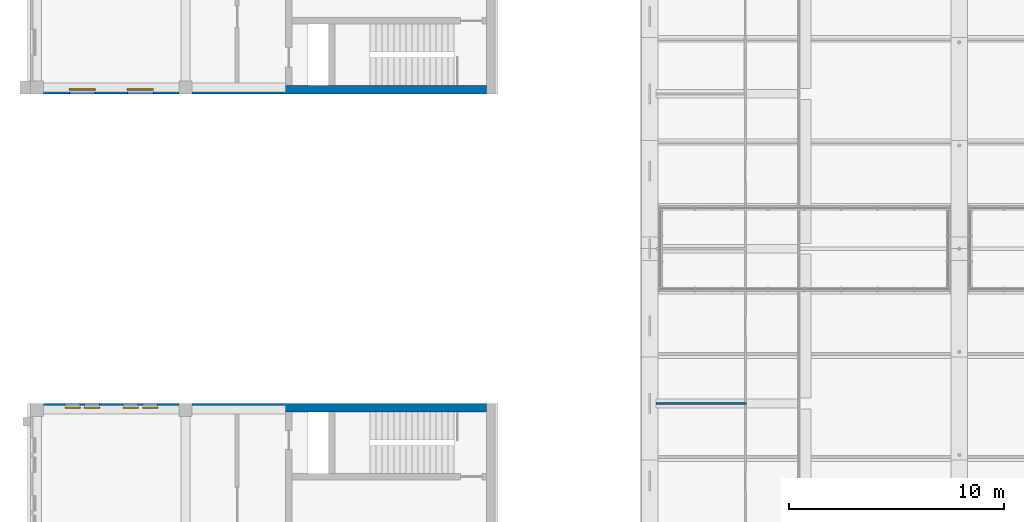
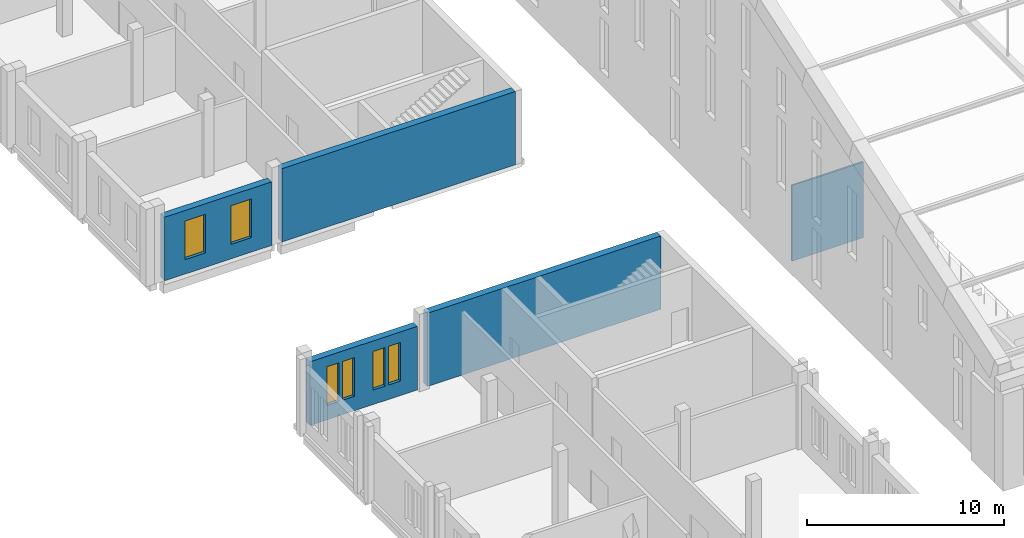
# One storey, part 127 of 149: 6 windows, 5 walls, 6 openings.
"""IFC4 building model written with IfcOpenShell, lengths in metres."""

import ifcopenshell
import ifcopenshell.guid

model = None  # the IFC model being written
_history = None  # IfcOwnerHistory: only IFC2X3 demands one
_inside = {}  # id of a spatial element -> (the spatial element, [elements in it])
_under = {}  # id of a project, library or spatial element -> (it, [spatial elements below it])
_declared = {}  # id of a project -> (the project, [libraries it declares])
_typed = {}  # id of a type object -> (the type object, [elements of that type])
_made_of = {}  # id of a material, layer set ... -> (it, [elements and type objects made of it])


def new_model(schema):
    """Start an empty IFC model of exactly this schema.

    Asked for "IFC4X3", IfcOpenShell would pick the latest addendum, in which some entities
    have other attributes; the version numbers below select the first issue.
    IFC2X3 requires an IfcOwnerHistory on every rooted entity: one is made here for all.
    """
    global model, _history
    if schema == "IFC4X3":
        model = ifcopenshell.file(schema_version=(4, 3, 0, 0))
    else:
        model = ifcopenshell.file(schema=schema)
    _inside.clear()
    _under.clear()
    _declared.clear()
    _typed.clear()
    _made_of.clear()
    _history = None
    if model.schema == "IFC2X3":
        org = make("IfcOrganization", Name="unknown")
        user = make(
            "IfcPersonAndOrganization",
            ThePerson=make("IfcPerson", FamilyName="unknown"),
            TheOrganization=org,
        )
        app = make(
            "IfcApplication",
            ApplicationDeveloper=org,
            Version="unknown",
            ApplicationFullName="unknown",
            ApplicationIdentifier="unknown",
        )
        _history = make(
            "IfcOwnerHistory",
            OwningUser=user,
            OwningApplication=app,
            ChangeAction="ADDED",
            CreationDate=0,
        )
    return model


def make(cls, **values):
    """One entity of the class cls with the attributes given. An attribute that is None is left unset."""
    return model.create_entity(
        cls, **{name: value for name, value in values.items() if value is not None}
    )


def rooted(cls, **values):
    """An entity with a GlobalId (a new one), such as an element, a storey or a relation."""
    return make(cls, GlobalId=ifcopenshell.guid.new(), OwnerHistory=_history, **values)


def si_unit(unit_type, name, prefix=None):
    """IfcSIUnit, for example si_unit("LENGTHUNIT", "METRE", prefix="MILLI")."""
    return make("IfcSIUnit", UnitType=unit_type, Prefix=prefix, Name=name)


def assignment(units):
    """IfcUnitAssignment: the units of a project."""
    return None if units is None else make("IfcUnitAssignment", Units=units)


def point(xyz):
    """IfcCartesianPoint."""
    return None if xyz is None else make("IfcCartesianPoint", Coordinates=xyz)


def direction(xyz):
    """IfcDirection."""
    return None if xyz is None else make("IfcDirection", DirectionRatios=xyz)


def frame(location, z_axis=None, x_axis=None):
    """IfcAxis2Placement3D, a coordinate frame: its origin and axes. An axis left out is left unset."""
    return make(
        "IfcAxis2Placement3D",
        Location=point(location),
        Axis=direction(z_axis),
        RefDirection=direction(x_axis),
    )


def frame_2d(location, x_axis=None):
    """IfcAxis2Placement2D, a coordinate frame in the plane: its origin and x axis."""
    return make(
        "IfcAxis2Placement2D", Location=point(location), RefDirection=direction(x_axis)
    )


def origin():
    """The frame at (0, 0, 0) with its axes left unset."""
    return frame((0.0, 0.0, 0.0))


def place(relative_to, where):
    """IfcLocalPlacement: puts the frame where relative to a parent placement (None: the world)."""
    return make(
        "IfcLocalPlacement", PlacementRelTo=relative_to, RelativePlacement=where
    )


def context(
    kind, dimensions, precision=None, world=None, true_north=None, identifier=None
):
    """IfcGeometricRepresentationContext, for example the 3D "Model" context."""
    return make(
        "IfcGeometricRepresentationContext",
        ContextIdentifier=identifier,
        ContextType=kind,
        CoordinateSpaceDimension=dimensions,
        Precision=precision,
        WorldCoordinateSystem=world,
        TrueNorth=true_north,
    )


def subcontext(parent, identifier, kind, view, scale=None):
    """IfcGeometricRepresentationSubContext, for example "Body" below "Model"."""
    return make(
        "IfcGeometricRepresentationSubContext",
        ContextIdentifier=identifier,
        ContextType=kind,
        ParentContext=parent,
        TargetScale=scale,
        TargetView=view,
    )


def project(units=None, contexts=None):
    """IfcProject with its units and contexts."""
    return rooted(
        "IfcProject",
        Name="project",
        RepresentationContexts=contexts,
        UnitsInContext=assignment(units),
    )


def spatial(cls, under=None, at=None, **own):
    """A site, building, storey or space (cls), placed at a placement, below another one or the project."""
    s = rooted(cls, ObjectPlacement=at, **own)
    if under is not None:
        _under.setdefault(under.id(), (under, []))[1].append(s)
    return s


def profile(cls, at=None, kind="AREA", **sizes):
    """A parametric profile (cls). Its sizes go by their IFC names, for example OverallWidth=200.0."""
    return make(cls, ProfileType=kind, Position=at, **sizes)


def rectangle(**sizes):
    """IfcRectangleProfileDef."""
    return profile("IfcRectangleProfileDef", **sizes)


def extrude(swept, where, along, depth):
    """IfcExtrudedAreaSolid: the profile swept, set in the frame where, extruded along a direction by depth."""
    return make(
        "IfcExtrudedAreaSolid",
        SweptArea=swept,
        Position=where,
        ExtrudedDirection=direction(along),
        Depth=depth,
    )


def shape(context_of_items, identifier, shape_type, items):
    """IfcShapeRepresentation: the items that make up one representation, for example the "Body"."""
    return make(
        "IfcShapeRepresentation",
        ContextOfItems=context_of_items,
        RepresentationIdentifier=identifier,
        RepresentationType=shape_type,
        Items=items,
    )


def material(Name=None, Category=None):
    """IfcMaterial."""
    return make("IfcMaterial", Name=Name, Category=Category)


def layer(
    of_material, thickness, ventilated=None, Name=None, Category=None, Priority=None
):
    """IfcMaterialLayer: one layer of a wall or slab, of a material (None: an air gap)."""
    return make(
        "IfcMaterialLayer",
        Material=of_material,
        LayerThickness=thickness,
        IsVentilated=ventilated,
        Name=Name,
        Category=Category,
        Priority=Priority,
    )


def layer_set(layers, Name=None):
    """IfcMaterialLayerSet."""
    return make("IfcMaterialLayerSet", MaterialLayers=layers, LayerSetName=Name)


def made_of(thing, what):
    """Note that an element or type object is made of a material, layer set ...; save() writes the relation."""
    if what is not None:
        _made_of.setdefault(what.id(), (what, []))[1].append(thing)
    return thing


def type_object(cls, material=None, **own):
    """A type object (cls), such as IfcWallType, which elements share."""
    return made_of(rooted(cls, **own), material)


def element(
    cls,
    number,
    at=None,
    inside=None,
    cuts=None,
    type_object=None,
    material=None,
    context=None,
    identifier="Body",
    shape_type=None,
    held_by="IfcProductDefinitionShape",
    body=None,
    shapes=None,
    **own,
):
    """One element of the class cls, such as IfcWall. Its Tag is "e" and its number.

    at: its placement. inside: the storey or other place that contains it. cuts: it is an
    opening in that element (IfcRelVoidsElement). A single representation is given by context,
    identifier, shape_type and body (its items); several are given by shapes. held_by: the class
    of the entity that holds the representations. save() writes the other relations.
    """
    e = rooted(cls, Tag="e%d" % number, ObjectPlacement=at, **own)
    if body is not None:
        shapes = [shape(context, identifier, shape_type, body)]
    if shapes is not None:
        e.Representation = make(held_by, Representations=shapes)
    if inside is not None:
        _inside.setdefault(inside.id(), (inside, []))[1].append(e)
    if cuts is not None:
        rooted(
            "IfcRelVoidsElement", RelatingBuildingElement=cuts, RelatedOpeningElement=e
        )
    if type_object is not None:
        _typed.setdefault(type_object.id(), (type_object, []))[1].append(e)
    return made_of(e, material)


def fill(opening, filler):
    """IfcRelFillsElement: the door or window that sits in an opening."""
    return rooted(
        "IfcRelFillsElement",
        RelatingOpeningElement=opening,
        RelatedBuildingElement=filler,
    )


def aggregate(whole, parts):
    """IfcRelAggregates: a whole, such as a stair, and the parts it consists of."""
    return rooted("IfcRelAggregates", RelatingObject=whole, RelatedObjects=parts)


def save(model, path):
    """Write the relations noted so far, then the file.

    IfcRelAggregates (storeys below a building ...), IfcRelContainedInSpatialStructure (elements
    in a storey), IfcRelDefinesByType, IfcRelAssociatesMaterial and IfcRelDeclares: one each for
    every whole, place, type object, material and project.
    """
    for whole, parts in _under.values():
        aggregate(whole, parts)
    for where, things in _inside.values():
        rooted(
            "IfcRelContainedInSpatialStructure",
            RelatedElements=things,
            RelatingStructure=where,
        )
    for kind, things in _typed.values():
        rooted("IfcRelDefinesByType", RelatedObjects=things, RelatingType=kind)
    for what, things in _made_of.values():
        rooted("IfcRelAssociatesMaterial", RelatedObjects=things, RelatingMaterial=what)
    for by, libraries in _declared.values():
        rooted("IfcRelDeclares", RelatingContext=by, RelatedDefinitions=libraries)
    model.write(path)


model = new_model("IFC4")

# Units and contexts
model_context = context("Model", 3, precision=1e-05, world=origin(), true_north=direction((0.0, 1.0)))
body_context = subcontext(model_context, "Body", "Model", "MODEL_VIEW")
ifc_project = project(units=[si_unit("LENGTHUNIT", "METRE"), si_unit("AREAUNIT", "SQUARE_METRE"), si_unit("VOLUMEUNIT", "CUBIC_METRE"), si_unit("PLANEANGLEUNIT", "RADIAN"), si_unit("MASSUNIT", "GRAM", prefix="KILO")], contexts=[model_context])

# Site, building, storey
site_placement = place(None, origin())
site = spatial("IfcSite", under=ifc_project, at=site_placement, CompositionType="ELEMENT")
building_placement = place(site_placement, origin())
building = spatial("IfcBuilding", under=site, at=building_placement, Name="Alderwick Market Hall", CompositionType="ELEMENT")
storey_placement = place(building_placement, frame((0.0, 0.0, 9.60009765625)))
storey = spatial("IfcBuildingStorey", under=building, at=storey_placement, Name="L01", CompositionType="ELEMENT", Elevation=9.60009765625)

# Wall, openings, windows
ifc_material_1 = material(Name="Face brick", Category="masonry")
ifc_layer_1 = layer(ifc_material_1, 0.39990234375)
ifc_layer_set_1 = layer_set([ifc_layer_1], Name="Face brick")
wall_type_1 = type_object("IfcWallType", Name="B Brick Cavity Wall 400", PredefinedType="SOLIDWALL", material=ifc_layer_set_1)
wall_1_placement = place(storey_placement, frame((22.199951171875, 86.60009765625, 0.0), z_axis=(0.0, 0.0, 1.0), x_axis=(1.0, 0.0, 0.0)))
wall_1 = element("IfcWall", 1, at=wall_1_placement, inside=storey, type_object=wall_type_1, Name="B.N.wall.L01.000", PredefinedType="SOLIDWALL", context=body_context, shape_type="SweptSolid", body=[
    extrude(rectangle(XDim=6.300048828125, YDim=0.39990234375, at=frame_2d((3.14990234375, 0.0))), origin(), (0.0, 0.0, 1.0), 3.949951171875),
])
opening_1_placement = place(wall_1_placement, frame((1.199951171875, 0.0, 0.89990234375)))
opening_1 = element("IfcOpeningElement", 2, at=opening_1_placement, cuts=wall_1, Name="Opening B-W030", PredefinedType="OPENING", context=body_context, shape_type="SweptSolid", body=[
    extrude(rectangle(XDim=1.199951171875, YDim=2.39990234375, at=frame_2d((0.60009765625, 1.199951171875))), frame((0.0, 0.2099609375, 0.0), z_axis=(0.0, -1.0, 0.0), x_axis=(1.0, 0.0, 0.0)), (0.0, 0.0, 1.0), 0.419921875),
])
opening_2_placement = place(wall_1_placement, frame((3.89990234375, 0.0, 0.89990234375)))
opening_2 = element("IfcOpeningElement", 3, at=opening_2_placement, cuts=wall_1, Name="Opening B-W031", PredefinedType="OPENING", context=body_context, shape_type="SweptSolid", body=[
    extrude(rectangle(XDim=1.199951171875, YDim=2.39990234375, at=frame_2d((0.60009765625, 1.199951171875))), frame((0.0, 0.2099609375, 0.0), z_axis=(0.0, -1.0, 0.0), x_axis=(1.0, 0.0, 0.0)), (0.0, 0.0, 1.0), 0.419921875),
])
ifc_material_2 = material(Name="Aluminium frame", Category="aluminium")
window_type_1 = type_object("IfcWindowType", Name="B Piano Nobile Window 1200x2400", PartitioningType="SINGLE_PANEL", PredefinedType="WINDOW", material=ifc_material_2)
window_1_placement = place(opening_1_placement, origin())
window_1 = element("IfcWindow", 4, at=window_1_placement, inside=storey, type_object=window_type_1, Name="Window B-W030", OverallHeight=2.39990234375, OverallWidth=1.199951171875, PartitioningType="SINGLE_PANEL", PredefinedType="WINDOW", context=body_context, shape_type="SweptSolid", body=[
    extrude(rectangle(XDim=1.199951171875, YDim=2.39990234375, at=frame_2d((0.60009765625, 1.199951171875))), frame((0.0, 0.030029296875, 0.0), z_axis=(0.0, -1.0, 0.0), x_axis=(1.0, 0.0, 0.0)), (0.0, 0.0, 1.0), 0.06005859375),
])
fill(opening_1, window_1)
window_2_placement = place(opening_2_placement, origin())
window_2 = element("IfcWindow", 5, at=window_2_placement, inside=storey, type_object=window_type_1, Name="Window B-W031", OverallHeight=2.39990234375, OverallWidth=1.199951171875, PartitioningType="SINGLE_PANEL", PredefinedType="WINDOW", context=body_context, shape_type="SweptSolid", body=[
    extrude(rectangle(XDim=1.199951171875, YDim=2.39990234375, at=frame_2d((0.60009765625, 1.199951171875))), frame((0.0, 0.030029296875, 0.0), z_axis=(0.0, -1.0, 0.0), x_axis=(1.0, 0.0, 0.0)), (0.0, 0.0, 1.0), 0.06005859375),
])
fill(opening_2, window_2)

wall_2_placement = place(storey_placement, frame((22.199951171875, 71.800048828125, 0.0), z_axis=(0.0, 0.0, 1.0), x_axis=(1.0, 0.0, 0.0)))
wall_2 = element("IfcWall", 6, at=wall_2_placement, inside=storey, type_object=wall_type_1, Name="B.S.wall.L01.016", PredefinedType="SOLIDWALL", context=body_context, shape_type="SweptSolid", body=[
    extrude(rectangle(XDim=6.300048828125, YDim=0.39990234375, at=frame_2d((3.14990234375, 0.0))), origin(), (0.0, 0.0, 1.0), 3.949951171875),
])
opening_3_placement = place(wall_2_placement, frame((1.0, 0.0, 0.89990234375)))
opening_3 = element("IfcOpeningElement", 7, at=opening_3_placement, cuts=wall_2, Name="Opening B-W118", PredefinedType="OPENING", context=body_context, shape_type="SweptSolid", body=[
    extrude(rectangle(XDim=0.699951171875, YDim=2.39990234375, at=frame_2d((0.35009765625, 1.199951171875))), frame((0.0, 0.2099609375, 0.0), z_axis=(0.0, -1.0, 0.0), x_axis=(1.0, 0.0, 0.0)), (0.0, 0.0, 1.0), 0.419921875),
])
opening_4_placement = place(wall_2_placement, frame((1.89990234375, 0.0, 0.89990234375)))
opening_4 = element("IfcOpeningElement", 8, at=opening_4_placement, cuts=wall_2, Name="Opening B-W119", PredefinedType="OPENING", context=body_context, shape_type="SweptSolid", body=[
    extrude(rectangle(XDim=0.699951171875, YDim=2.39990234375, at=frame_2d((0.35009765625, 1.199951171875))), frame((0.0, 0.2099609375, 0.0), z_axis=(0.0, -1.0, 0.0), x_axis=(1.0, 0.0, 0.0)), (0.0, 0.0, 1.0), 0.419921875),
])
opening_5_placement = place(wall_2_placement, frame((3.699951171875, 0.0, 0.89990234375)))
opening_5 = element("IfcOpeningElement", 9, at=opening_5_placement, cuts=wall_2, Name="Opening B-W120", PredefinedType="OPENING", context=body_context, shape_type="SweptSolid", body=[
    extrude(rectangle(XDim=0.699951171875, YDim=2.39990234375, at=frame_2d((0.35009765625, 1.199951171875))), frame((0.0, 0.2099609375, 0.0), z_axis=(0.0, -1.0, 0.0), x_axis=(1.0, 0.0, 0.0)), (0.0, 0.0, 1.0), 0.419921875),
])
opening_6_placement = place(wall_2_placement, frame((4.60009765625, 0.0, 0.89990234375)))
opening_6 = element("IfcOpeningElement", 10, at=opening_6_placement, cuts=wall_2, Name="Opening B-W121", PredefinedType="OPENING", context=body_context, shape_type="SweptSolid", body=[
    extrude(rectangle(XDim=0.699951171875, YDim=2.39990234375, at=frame_2d((0.35009765625, 1.199951171875))), frame((0.0, 0.2099609375, 0.0), z_axis=(0.0, -1.0, 0.0), x_axis=(1.0, 0.0, 0.0)), (0.0, 0.0, 1.0), 0.419921875),
])
window_type_2 = type_object("IfcWindowType", Name="B Piano Nobile Window 700x2400", PartitioningType="SINGLE_PANEL", PredefinedType="WINDOW", material=ifc_material_2)
window_3_placement = place(opening_3_placement, origin())
window_3 = element("IfcWindow", 11, at=window_3_placement, inside=storey, type_object=window_type_2, Name="Window B-W118", OverallHeight=2.39990234375, OverallWidth=0.699951171875, PartitioningType="SINGLE_PANEL", PredefinedType="WINDOW", context=body_context, shape_type="SweptSolid", body=[
    extrude(rectangle(XDim=0.699951171875, YDim=2.39990234375, at=frame_2d((0.35009765625, 1.199951171875))), frame((0.0, 0.030029296875, 0.0), z_axis=(0.0, -1.0, 0.0), x_axis=(1.0, 0.0, 0.0)), (0.0, 0.0, 1.0), 0.06005859375),
])
fill(opening_3, window_3)
window_4_placement = place(opening_4_placement, origin())
window_4 = element("IfcWindow", 12, at=window_4_placement, inside=storey, type_object=window_type_2, Name="Window B-W119", OverallHeight=2.39990234375, OverallWidth=0.699951171875, PartitioningType="SINGLE_PANEL", PredefinedType="WINDOW", context=body_context, shape_type="SweptSolid", body=[
    extrude(rectangle(XDim=0.699951171875, YDim=2.39990234375, at=frame_2d((0.35009765625, 1.199951171875))), frame((0.0, 0.030029296875, 0.0), z_axis=(0.0, -1.0, 0.0), x_axis=(1.0, 0.0, 0.0)), (0.0, 0.0, 1.0), 0.06005859375),
])
fill(opening_4, window_4)
window_5_placement = place(opening_5_placement, origin())
window_5 = element("IfcWindow", 13, at=window_5_placement, inside=storey, type_object=window_type_2, Name="Window B-W120", OverallHeight=2.39990234375, OverallWidth=0.699951171875, PartitioningType="SINGLE_PANEL", PredefinedType="WINDOW", context=body_context, shape_type="SweptSolid", body=[
    extrude(rectangle(XDim=0.699951171875, YDim=2.39990234375, at=frame_2d((0.35009765625, 1.199951171875))), frame((0.0, 0.030029296875, 0.0), z_axis=(0.0, -1.0, 0.0), x_axis=(1.0, 0.0, 0.0)), (0.0, 0.0, 1.0), 0.06005859375),
])
fill(opening_5, window_5)
window_6_placement = place(opening_6_placement, origin())
window_6 = element("IfcWindow", 14, at=window_6_placement, inside=storey, type_object=window_type_2, Name="Window B-W121", OverallHeight=2.39990234375, OverallWidth=0.699951171875, PartitioningType="SINGLE_PANEL", PredefinedType="WINDOW", context=body_context, shape_type="SweptSolid", body=[
    extrude(rectangle(XDim=0.699951171875, YDim=2.39990234375, at=frame_2d((0.35009765625, 1.199951171875))), frame((0.0, 0.030029296875, 0.0), z_axis=(0.0, -1.0, 0.0), x_axis=(1.0, 0.0, 0.0)), (0.0, 0.0, 1.0), 0.06005859375),
])
fill(opening_6, window_6)

# Walls
ifc_material_3 = material(Name="Concrete 5000 psi (f'c 35 MPa)", Category="concrete")
ifc_layer_2 = layer(ifc_material_3, 0.39990234375)
ifc_layer_set_2 = layer_set([ifc_layer_2], Name="Concrete 5000 psi (f'c 35 MPa)")
wall_type_2 = type_object("IfcWallType", Name="B RC Core Facade Wall 400", PredefinedType="SHEAR", material=ifc_layer_set_2)
for number, where, z_axis, x_axis, name in (
    (15, (29.10009765625, 86.60009765625, 0.0), (0.0, 0.0, 1.0), (1.0, 0.0, 0.0), "B.N.wall.L01.001"),
    (16, (29.10009765625, 71.800048828125, 0.0), (0.0, 0.0, 1.0), (1.0, 0.0, 0.0), "B.S.wall.L01.017"),
):
    element("IfcWall", number, at=place(storey_placement, frame(where, z_axis=z_axis, x_axis=x_axis)), inside=storey, type_object=wall_type_2, Name=name, PredefinedType="SHEAR", context=body_context, shape_type="SweptSolid", body=[
        extrude(rectangle(XDim=13.699951171875, YDim=0.39990234375, at=frame_2d((6.85009765625, 0.0))), origin(), (0.0, 0.0, 1.0), 4.5498046875),
    ])
ifc_material_4 = material(Name="Gypsum board partition")
ifc_layer_3 = layer(ifc_material_4, 0.10009765625)
ifc_layer_set_3 = layer_set([ifc_layer_3], Name="Gypsum board partition")
wall_type_3 = type_object("IfcWallType", Name="H Partition 100", PredefinedType="PARTITIONING", material=ifc_layer_set_3)
wall_3_placement = place(storey_placement, frame((50.699951171875, 72.0, 0.0), z_axis=(0.0, 0.0, 1.0), x_axis=(1.0, 0.0, 0.0)))
element("IfcWall", 17, at=wall_3_placement, inside=storey, type_object=wall_type_3, Name="Partition", PredefinedType="PARTITIONING", context=body_context, shape_type="SweptSolid", body=[
    extrude(rectangle(XDim=4.199951171875, YDim=0.10009765625, at=frame_2d((2.10009765625, 0.0))), origin(), (0.0, 0.0, 1.0), 4.699951171875),
])

save(model, "model.ifc")
